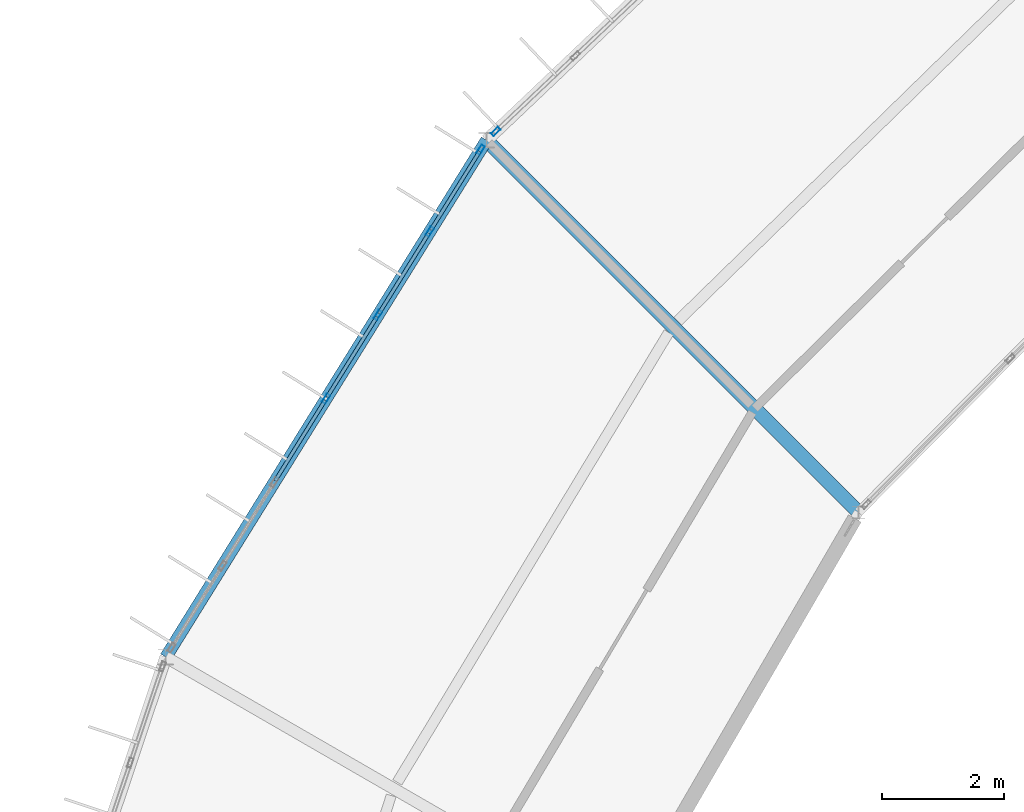
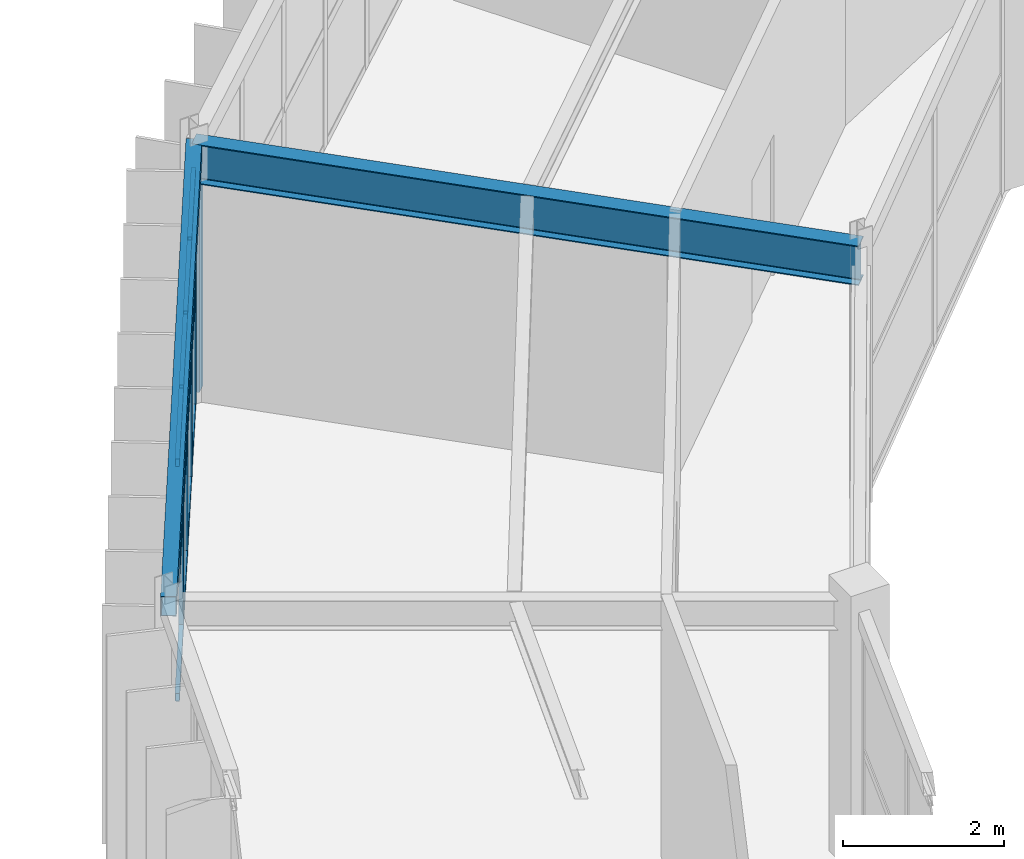
# One storey, part 68 of 134: 17 members, 2 beams, 2 elements without a shape of their own.
"""IFC4 building model written with IfcOpenShell, lengths in metres."""

from ifc_helpers import new_model, si_unit, direction, frame, origin, origin_2d, place, context, subcontext, project, spatial, hollow_rectangle, i_section, extrude, material, material_profile, profile_set, type_object, element, aggregate, save


model = new_model("IFC4")

# Units and contexts
model_context = context("Model", 3, precision=1e-05, world=origin(), true_north=direction((0.0, 1.0)))
body_context = subcontext(model_context, "Body", "Model", "MODEL_VIEW")
ifc_project = project(units=[si_unit("LENGTHUNIT", "METRE"), si_unit("AREAUNIT", "SQUARE_METRE"), si_unit("VOLUMEUNIT", "CUBIC_METRE"), si_unit("PLANEANGLEUNIT", "RADIAN"), si_unit("MASSUNIT", "GRAM", prefix="KILO")], contexts=[model_context])

# Site, building, storey
site_placement = place(None, origin())
site = spatial("IfcSite", under=ifc_project, at=site_placement, CompositionType="ELEMENT")
building_placement = place(site_placement, origin())
building = spatial("IfcBuilding", under=site, at=building_placement, Name="Karori Crest Natural Sciences Institute", CompositionType="ELEMENT")
storey_placement = place(building_placement, frame((0.0, 0.0, 21.699951171875)))
storey = spatial("IfcBuildingStorey", under=building, at=storey_placement, Name="L05", CompositionType="ELEMENT", Elevation=21.699951171875)

# Beams
ifc_material_1 = material(Name="Hollow structural steel AS/NZS 1163 Grade C350", Category="steel")
ifc_material_profile_1 = material_profile(ifc_material_1, hollow_rectangle(XDim=0.199951171875, YDim=0.300048828125, WallThickness=0.010009765625, at=origin_2d()), Name="RHS300x200x10")
ifc_profile_set_1 = profile_set([ifc_material_profile_1], Name="Hollow structural steel AS/NZS 1163 Grade C350")
beam_type_1 = type_object("IfcBeamType", Name="BT-15", PredefinedType="SPANDREL", material=ifc_profile_set_1)
beam_1_placement = place(storey_placement, frame((43.0654296875, 78.75, 3.7900390625), z_axis=(-0.527315195609, -0.849669750244, 0.0), x_axis=(0.849669750244, -0.527315195609, 0.0)))
element("IfcBeam", 1, at=beam_1_placement, inside=storey, type_object=beam_type_1, Name="Beam B-0575", PredefinedType="SPANDREL", context=body_context, shape_type="SweptSolid", body=[
    extrude(hollow_rectangle(XDim=0.199951171875, YDim=0.300048828125, WallThickness=0.010009765625, at=origin_2d()), origin(), (0.0, 0.0, 1.0), 9.945068359375),
])
ifc_material_2 = material(Name="Structural steel AS/NZS 3679.1 Grade 350", Category="steel")
ifc_material_profile_2 = material_profile(ifc_material_2, i_section(OverallWidth=0.22802734375, OverallDepth=0.60205078125, WebThickness=0.010498046875, FlangeThickness=0.014892578125, FilletRadius=0.013916015625, at=origin_2d()), Name="610UB101")
ifc_profile_set_2 = profile_set([ifc_material_profile_2], Name="Structural steel AS/NZS 3679.1 Grade 350")
beam_type_2 = type_object("IfcBeamType", Name="BT-27", PredefinedType="BEAM", material=ifc_profile_set_2)
beam_2_placement = place(storey_placement, frame((49.146484375, 72.668701171875, 3.63916015625), z_axis=(-0.707092586958, 0.70712097513, 0.0), x_axis=(-0.70712097513, -0.707092586958, 0.0)))
element("IfcBeam", 2, at=beam_2_placement, inside=storey, type_object=beam_type_2, Name="Beam B-0577", PredefinedType="BEAM", context=body_context, shape_type="SweptSolid", body=[
    extrude(i_section(OverallWidth=0.22802734375, OverallDepth=0.60205078125, WebThickness=0.010498046875, FlangeThickness=0.014892578125, FilletRadius=0.013916015625, at=origin_2d()), origin(), (0.0, 0.0, 1.0), 8.60009765625),
])

# Curtain wall, member
ifc_material_3 = material(Name="Anodised architectural aluminium 6063-T6", Category="aluminium")
curtain_wall_type_1 = type_object("IfcCurtainWallType", Name="CWT-09", PredefinedType="NOTDEFINED", material=ifc_material_3)
curtain_wall_1_placement = place(storey_placement, origin())
curtain_wall_1 = element("IfcCurtainWall", 3, at=curtain_wall_1_placement, inside=storey, type_object=curtain_wall_type_1, Name="Curtain wall CW-0184", PredefinedType="NOTDEFINED")
ifc_material_profile_3 = material_profile(ifc_material_3, hollow_rectangle(XDim=0.06494140625, YDim=0.159912109375, WallThickness=0.00390625, at=origin_2d()), Name="CWM160x65x4")
ifc_profile_set_3 = profile_set([ifc_material_profile_3], Name="Anodised architectural aluminium 6063-T6")
member_type_1 = type_object("IfcMemberType", Name="CWM-01", PredefinedType="MULLION", material=ifc_profile_set_3)
member_1_placement = place(storey_placement, frame((43.215576171875, 78.892333984375, 0.0), z_axis=(0.0, 0.0, 1.0), x_axis=(-0.688250542104, 0.725473081026, 0.0)))
member_1 = element("IfcMember", 4, at=member_1_placement, type_object=member_type_1, Name="CW-0184 mullion 1", PredefinedType="MULLION", context=body_context, shape_type="SweptSolid", body=[
    extrude(hollow_rectangle(XDim=0.06494140625, YDim=0.159912109375, WallThickness=0.00390625, at=origin_2d()), origin(), (0.0, 0.0, 1.0), 3.625),
])
aggregate(curtain_wall_1, [member_1])

# Curtain wall, members
curtain_wall_type_2 = type_object("IfcCurtainWallType", Name="CWT-10", PredefinedType="NOTDEFINED", material=ifc_material_3)
curtain_wall_2_placement = place(storey_placement, origin())
curtain_wall_2 = element("IfcCurtainWall", 5, at=curtain_wall_2_placement, inside=storey, type_object=curtain_wall_type_2, Name="Curtain wall CW-0186", PredefinedType="NOTDEFINED")
member_2_placement = place(storey_placement, frame((40.4423828125, 74.5234375, 0.0), z_axis=(0.0, 0.0, 1.0), x_axis=(-0.849664350398, 0.527323896352, 0.0)))
member_2 = element("IfcMember", 6, at=member_2_placement, type_object=member_type_1, Name="CW-0186 mullion 4", PredefinedType="MULLION", context=body_context, shape_type="SweptSolid", body=[
    extrude(hollow_rectangle(XDim=0.06494140625, YDim=0.159912109375, WallThickness=0.00390625, at=origin_2d()), origin(), (0.0, 0.0, 1.0), 3.625),
])
member_3_placement = place(storey_placement, frame((41.290283203125, 75.8896484375, 0.0), z_axis=(0.0, 0.0, 1.0), x_axis=(-0.849664350398, 0.527323896352, 0.0)))
member_3 = element("IfcMember", 7, at=member_3_placement, type_object=member_type_1, Name="CW-0186 mullion 5", PredefinedType="MULLION", context=body_context, shape_type="SweptSolid", body=[
    extrude(hollow_rectangle(XDim=0.06494140625, YDim=0.159912109375, WallThickness=0.00390625, at=origin_2d()), origin(), (0.0, 0.0, 1.0), 3.625),
])
member_4_placement = place(storey_placement, frame((42.13818359375, 77.255615234375, 0.0), z_axis=(0.0, 0.0, 1.0), x_axis=(-0.849664350398, 0.527323896352, 0.0)))
member_4 = element("IfcMember", 8, at=member_4_placement, type_object=member_type_1, Name="CW-0186 mullion 6", PredefinedType="MULLION", context=body_context, shape_type="SweptSolid", body=[
    extrude(hollow_rectangle(XDim=0.06494140625, YDim=0.159912109375, WallThickness=0.00390625, at=origin_2d()), origin(), (0.0, 0.0, 1.0), 3.625),
])
member_5_placement = place(storey_placement, frame((42.96875, 78.593994140625, 0.0), z_axis=(0.0, 0.0, 1.0), x_axis=(-0.849664350398, 0.527323896352, 0.0)))
member_5 = element("IfcMember", 9, at=member_5_placement, type_object=member_type_1, Name="CW-0186 mullion 7", PredefinedType="MULLION", context=body_context, shape_type="SweptSolid", body=[
    extrude(hollow_rectangle(XDim=0.06494140625, YDim=0.159912109375, WallThickness=0.00390625, at=origin_2d()), origin(), (0.0, 0.0, 1.0), 3.625),
])
ifc_material_profile_4 = material_profile(ifc_material_3, hollow_rectangle(XDim=0.06005859375, YDim=0.1201171875, WallThickness=0.00390625, at=origin_2d()), Name="CWT120x60x4")
ifc_profile_set_4 = profile_set([ifc_material_profile_4], Name="Anodised architectural aluminium 6063-T6")
member_type_2 = type_object("IfcMemberType", Name="CWT-TR1", PredefinedType="USERDEFINED", material=ifc_profile_set_4)
member_6_placement = place(storey_placement, frame((39.61181640625, 73.18505859375, 0.030029296875), z_axis=(0.527307708925, 0.849674396524, 0.0), x_axis=(-0.849674396524, 0.527307708925, 0.0)))
member_6 = element("IfcMember", 10, at=member_6_placement, type_object=member_type_2, Name="CW-0186 transom 3.1", ObjectType="TRANSOM", PredefinedType="USERDEFINED", context=body_context, shape_type="SweptSolid", body=[
    extrude(hollow_rectangle(XDim=0.06005859375, YDim=0.1201171875, WallThickness=0.00390625, at=origin_2d()), origin(), (0.0, 0.0, 1.0), 1.542724609375),
])
member_7_placement = place(storey_placement, frame((39.61181640625, 73.18505859375, 1.8125), z_axis=(0.527307708925, 0.849674396524, 0.0), x_axis=(-0.849674396524, 0.527307708925, 0.0)))
member_7 = element("IfcMember", 11, at=member_7_placement, type_object=member_type_2, Name="CW-0186 transom 3.2", ObjectType="TRANSOM", PredefinedType="USERDEFINED", context=body_context, shape_type="SweptSolid", body=[
    extrude(hollow_rectangle(XDim=0.06005859375, YDim=0.1201171875, WallThickness=0.00390625, at=origin_2d()), origin(), (0.0, 0.0, 1.0), 1.542724609375),
])
member_8_placement = place(storey_placement, frame((39.61181640625, 73.18505859375, 3.594970703125), z_axis=(0.527307708925, 0.849674396524, 0.0), x_axis=(-0.849674396524, 0.527307708925, 0.0)))
member_8 = element("IfcMember", 12, at=member_8_placement, type_object=member_type_2, Name="CW-0186 transom 3.3", ObjectType="TRANSOM", PredefinedType="USERDEFINED", context=body_context, shape_type="SweptSolid", body=[
    extrude(hollow_rectangle(XDim=0.06005859375, YDim=0.1201171875, WallThickness=0.00390625, at=origin_2d()), origin(), (0.0, 0.0, 1.0), 1.542724609375),
])
member_9_placement = place(storey_placement, frame((40.45947265625, 74.551025390625, 0.030029296875), z_axis=(0.527351046072, 0.849647499971, 0.0), x_axis=(-0.849647499971, 0.527351046072, 0.0)))
member_9 = element("IfcMember", 13, at=member_9_placement, type_object=member_type_2, Name="CW-0186 transom 4.1", ObjectType="TRANSOM", PredefinedType="USERDEFINED", context=body_context, shape_type="SweptSolid", body=[
    extrude(hollow_rectangle(XDim=0.06005859375, YDim=0.1201171875, WallThickness=0.00390625, at=origin_2d()), origin(), (0.0, 0.0, 1.0), 1.54296875),
])
member_10_placement = place(storey_placement, frame((40.45947265625, 74.551025390625, 1.8125), z_axis=(0.527351046072, 0.849647499971, 0.0), x_axis=(-0.849647499971, 0.527351046072, 0.0)))
member_10 = element("IfcMember", 14, at=member_10_placement, type_object=member_type_2, Name="CW-0186 transom 4.2", ObjectType="TRANSOM", PredefinedType="USERDEFINED", context=body_context, shape_type="SweptSolid", body=[
    extrude(hollow_rectangle(XDim=0.06005859375, YDim=0.1201171875, WallThickness=0.00390625, at=origin_2d()), origin(), (0.0, 0.0, 1.0), 1.54296875),
])
member_11_placement = place(storey_placement, frame((40.45947265625, 74.551025390625, 3.594970703125), z_axis=(0.527351046072, 0.849647499971, 0.0), x_axis=(-0.849647499971, 0.527351046072, 0.0)))
member_11 = element("IfcMember", 15, at=member_11_placement, type_object=member_type_2, Name="CW-0186 transom 4.3", ObjectType="TRANSOM", PredefinedType="USERDEFINED", context=body_context, shape_type="SweptSolid", body=[
    extrude(hollow_rectangle(XDim=0.06005859375, YDim=0.1201171875, WallThickness=0.00390625, at=origin_2d()), origin(), (0.0, 0.0, 1.0), 1.54296875),
])
member_12_placement = place(storey_placement, frame((41.307373046875, 75.917236328125, 0.030029296875), z_axis=(0.527307708925, 0.849674396524, 0.0), x_axis=(-0.849674396524, 0.527307708925, 0.0)))
member_12 = element("IfcMember", 16, at=member_12_placement, type_object=member_type_2, Name="CW-0186 transom 5.1", ObjectType="TRANSOM", PredefinedType="USERDEFINED", context=body_context, shape_type="SweptSolid", body=[
    extrude(hollow_rectangle(XDim=0.06005859375, YDim=0.1201171875, WallThickness=0.00390625, at=origin_2d()), origin(), (0.0, 0.0, 1.0), 1.542724609375),
])
member_13_placement = place(storey_placement, frame((41.307373046875, 75.917236328125, 1.8125), z_axis=(0.527307708925, 0.849674396524, 0.0), x_axis=(-0.849674396524, 0.527307708925, 0.0)))
member_13 = element("IfcMember", 17, at=member_13_placement, type_object=member_type_2, Name="CW-0186 transom 5.2", ObjectType="TRANSOM", PredefinedType="USERDEFINED", context=body_context, shape_type="SweptSolid", body=[
    extrude(hollow_rectangle(XDim=0.06005859375, YDim=0.1201171875, WallThickness=0.00390625, at=origin_2d()), origin(), (0.0, 0.0, 1.0), 1.542724609375),
])
member_14_placement = place(storey_placement, frame((41.307373046875, 75.917236328125, 3.594970703125), z_axis=(0.527307708925, 0.849674396524, 0.0), x_axis=(-0.849674396524, 0.527307708925, 0.0)))
member_14 = element("IfcMember", 18, at=member_14_placement, type_object=member_type_2, Name="CW-0186 transom 5.3", ObjectType="TRANSOM", PredefinedType="USERDEFINED", context=body_context, shape_type="SweptSolid", body=[
    extrude(hollow_rectangle(XDim=0.06005859375, YDim=0.1201171875, WallThickness=0.00390625, at=origin_2d()), origin(), (0.0, 0.0, 1.0), 1.542724609375),
])
member_15_placement = place(storey_placement, frame((42.1552734375, 77.283203125, 0.030029296875), z_axis=(0.52732262058, 0.849665142173, 0.0), x_axis=(-0.849665142173, 0.52732262058, 0.0)))
member_15 = element("IfcMember", 19, at=member_15_placement, type_object=member_type_2, Name="CW-0186 transom 6.1", ObjectType="TRANSOM", PredefinedType="USERDEFINED", context=body_context, shape_type="SweptSolid", body=[
    extrude(hollow_rectangle(XDim=0.06005859375, YDim=0.1201171875, WallThickness=0.00390625, at=origin_2d()), origin(), (0.0, 0.0, 1.0), 1.51025390625),
])
member_16_placement = place(storey_placement, frame((42.1552734375, 77.283203125, 1.8125), z_axis=(0.52732262058, 0.849665142173, 0.0), x_axis=(-0.849665142173, 0.52732262058, 0.0)))
member_16 = element("IfcMember", 20, at=member_16_placement, type_object=member_type_2, Name="CW-0186 transom 6.2", ObjectType="TRANSOM", PredefinedType="USERDEFINED", context=body_context, shape_type="SweptSolid", body=[
    extrude(hollow_rectangle(XDim=0.06005859375, YDim=0.1201171875, WallThickness=0.00390625, at=origin_2d()), origin(), (0.0, 0.0, 1.0), 1.51025390625),
])
member_17_placement = place(storey_placement, frame((42.1552734375, 77.283203125, 3.594970703125), z_axis=(0.52732262058, 0.849665142173, 0.0), x_axis=(-0.849665142173, 0.52732262058, 0.0)))
member_17 = element("IfcMember", 21, at=member_17_placement, type_object=member_type_2, Name="CW-0186 transom 6.3", ObjectType="TRANSOM", PredefinedType="USERDEFINED", context=body_context, shape_type="SweptSolid", body=[
    extrude(hollow_rectangle(XDim=0.06005859375, YDim=0.1201171875, WallThickness=0.00390625, at=origin_2d()), origin(), (0.0, 0.0, 1.0), 1.51025390625),
])
aggregate(curtain_wall_2, [member_2, member_3, member_4, member_5, member_6, member_7, member_8, member_9, member_10, member_11, member_12, member_13, member_14, member_15, member_16, member_17])

save(model, "model.ifc")
